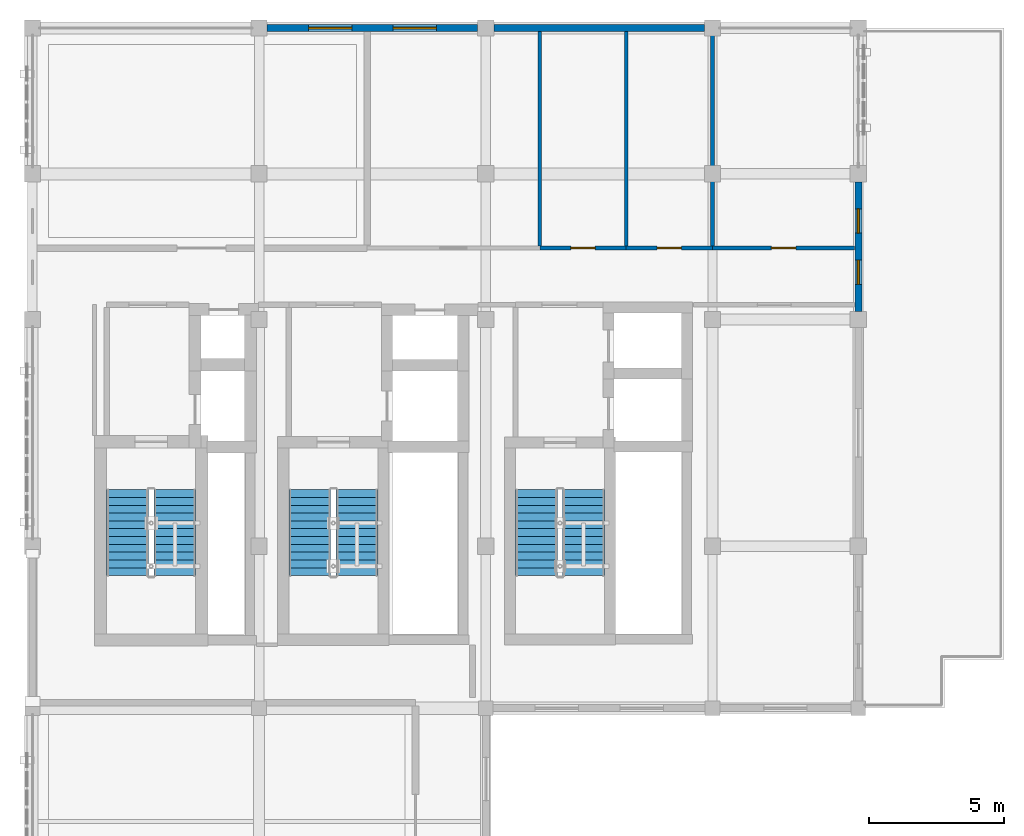
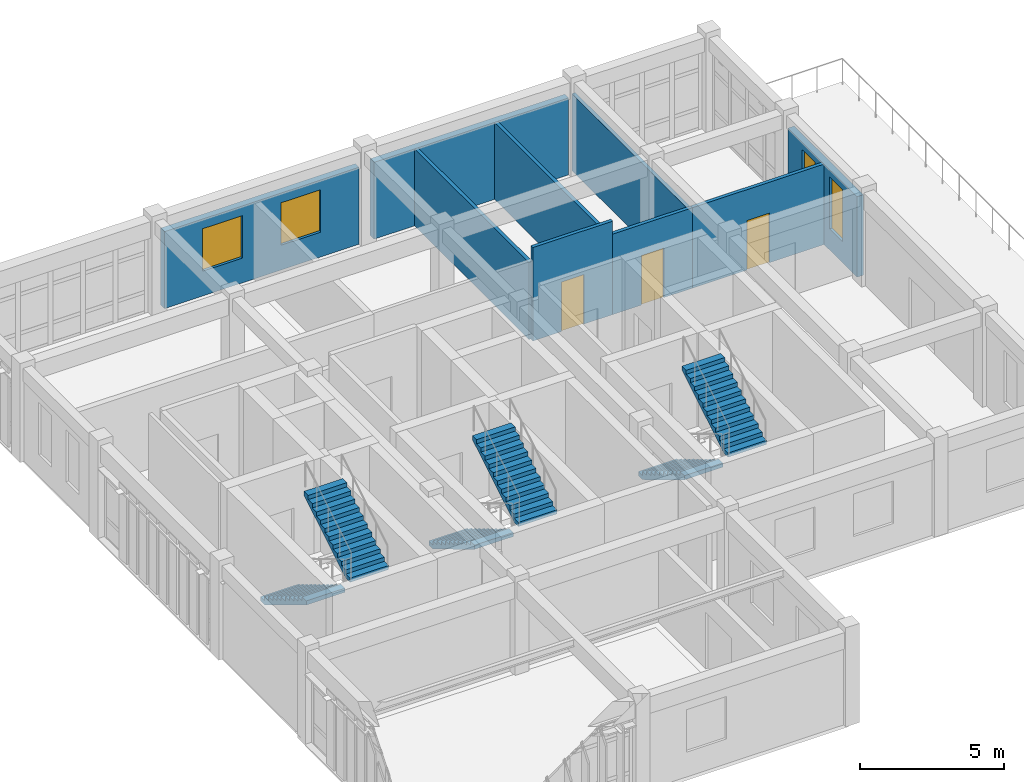
# One storey, part 19 of 21: 9 walls, 6 stair flights, 4 windows, 3 doors, 7 openings, 3 elements without a shape of their own.
"""IFC4 building model written with IfcOpenShell, lengths in metres."""

from ifc_helpers import new_model, si_unit, direction, frame, frame_2d, origin, place, context, subcontext, project, spatial, polyline, rectangle, outline, extrude, material, layer, layer_set, type_object, element, fill, aggregate, save


model = new_model("IFC4")

# Units and contexts
model_context = context("Model", 3, precision=1e-05, world=origin(), true_north=direction((0.0, 1.0)))
body_context = subcontext(model_context, "Body", "Model", "MODEL_VIEW")
ifc_project = project(units=[si_unit("LENGTHUNIT", "METRE"), si_unit("AREAUNIT", "SQUARE_METRE"), si_unit("VOLUMEUNIT", "CUBIC_METRE"), si_unit("PLANEANGLEUNIT", "RADIAN"), si_unit("MASSUNIT", "GRAM", prefix="KILO")], contexts=[model_context])

# Site, building, storey
site_placement = place(None, origin())
site = spatial("IfcSite", under=ifc_project, at=site_placement, CompositionType="ELEMENT")
building_placement = place(site_placement, origin())
building = spatial("IfcBuilding", under=site, at=building_placement, Name="Krzemoval Escarpment Law Courts", CompositionType="ELEMENT")
storey_placement = place(building_placement, frame((0.0, 0.0, 37.800048828125)))
storey = spatial("IfcBuildingStorey", under=building, at=storey_placement, Name="L08", CompositionType="ELEMENT", Elevation=37.800048828125)

# Wall, openings, windows
ifc_material_1 = material(Name="Precast concrete C40/50", Category="concrete")
ifc_layer_1 = layer(ifc_material_1, 0.260009765625)
ifc_layer_set_1 = layer_set([ifc_layer_1], Name="Precast concrete C40/50")
wall_type_1 = type_object("IfcWallType", Name="WL-EXT-260", PredefinedType="SOLIDWALL", material=ifc_layer_set_1)
wall_1_placement = place(storey_placement, frame((134.699951171875, 118.800048828125, 0.0), z_axis=(0.0, 0.0, 1.0), x_axis=(1.0, 0.0, 0.0)))
wall_1 = element("IfcWall", 1, at=wall_1_placement, inside=storey, type_object=wall_type_1, Name="Exterior Wall EW-L08-0470", PredefinedType="SOLIDWALL", context=body_context, shape_type="SweptSolid", body=[
    extrude(rectangle(XDim=7.800048828125, YDim=0.260009765625, at=frame_2d((3.89990234375, 0.0))), origin(), (0.0, 0.0, 1.0), 3.260009765625),
])
opening_1_placement = place(wall_1_placement, frame((1.532958984375, 0.0, 1.050048828125)))
opening_1 = element("IfcOpeningElement", 2, at=opening_1_placement, cuts=wall_1, Name="Opening WN-L08-0549", PredefinedType="OPENING", context=body_context, shape_type="SweptSolid", body=[
    extrude(rectangle(XDim=1.60009765625, YDim=1.800048828125, at=frame_2d((0.800048828125, 0.89990234375))), frame((0.0, 0.145, 0.0), z_axis=(0.0, -1.0, 0.0), x_axis=(1.0, 0.0, 0.0)), (0.0, 0.0, 1.0), 0.29001),
])
opening_2_placement = place(wall_1_placement, frame((4.6669921875, 0.0, 1.050048828125)))
opening_2 = element("IfcOpeningElement", 3, at=opening_2_placement, cuts=wall_1, Name="Opening WN-L08-0550", PredefinedType="OPENING", context=body_context, shape_type="SweptSolid", body=[
    extrude(rectangle(XDim=1.60009765625, YDim=1.800048828125, at=frame_2d((0.800048828125, 0.89990234375))), frame((0.0, 0.145, 0.0), z_axis=(0.0, -1.0, 0.0), x_axis=(1.0, 0.0, 0.0)), (0.0, 0.0, 1.0), 0.29001),
])
ifc_material_2 = material(Name="Thermally Broken Aluminium Frame with Triple Low-E Acoustic Glass", Category="aluminium")
window_type_1 = type_object("IfcWindowType", Name="WN-1600x1800", PartitioningType="SINGLE_PANEL", PredefinedType="WINDOW", material=ifc_material_2)
window_1_placement = place(opening_1_placement, origin())
window_1 = element("IfcWindow", 4, at=window_1_placement, inside=storey, type_object=window_type_1, Name="Facade Window WN-L08-0549", OverallHeight=1.800048828125, OverallWidth=1.60009765625, PartitioningType="SINGLE_PANEL", PredefinedType="WINDOW", context=body_context, shape_type="SweptSolid", body=[
    extrude(rectangle(XDim=1.60009765625, YDim=1.800048828125, at=frame_2d((0.800048828125, 0.89990234375))), frame((0.0, 0.030029296875, 0.0), z_axis=(0.0, -1.0, 0.0), x_axis=(1.0, 0.0, 0.0)), (0.0, 0.0, 1.0), 0.06005859375),
])
fill(opening_1, window_1)
window_2_placement = place(opening_2_placement, origin())
window_2 = element("IfcWindow", 5, at=window_2_placement, inside=storey, type_object=window_type_1, Name="Facade Window WN-L08-0550", OverallHeight=1.800048828125, OverallWidth=1.60009765625, PartitioningType="SINGLE_PANEL", PredefinedType="WINDOW", context=body_context, shape_type="SweptSolid", body=[
    extrude(rectangle(XDim=1.60009765625, YDim=1.800048828125, at=frame_2d((0.800048828125, 0.89990234375))), frame((0.0, 0.030029296875, 0.0), z_axis=(0.0, -1.0, 0.0), x_axis=(1.0, 0.0, 0.0)), (0.0, 0.0, 1.0), 0.06005859375),
])
fill(opening_2, window_2)

# Wall
wall_2_placement = place(storey_placement, frame((143.10009765625, 118.800048828125, 0.0), z_axis=(0.0, 0.0, 1.0), x_axis=(1.0, 0.0, 0.0)))
element("IfcWall", 6, at=wall_2_placement, inside=storey, type_object=wall_type_1, Name="Exterior Wall EW-L08-0471", PredefinedType="SOLIDWALL", context=body_context, shape_type="SweptSolid", body=[
    extrude(rectangle(XDim=7.7998046875, YDim=0.260009765625, at=frame_2d((3.89990234375, 0.0))), origin(), (0.0, 0.0, 1.0), 3.260009765625),
])

# Wall, openings, windows
wall_3_placement = place(storey_placement, frame((156.60009765625, 113.10009765625, 0.0), z_axis=(0.0, 0.0, 1.0), x_axis=(0.0, -1.0, 0.0)))
wall_3 = element("IfcWall", 7, at=wall_3_placement, inside=storey, type_object=wall_type_1, Name="Exterior Wall EW-L08-0472", PredefinedType="SOLIDWALL", context=body_context, shape_type="SweptSolid", body=[
    extrude(rectangle(XDim=4.800048828125, YDim=0.260009765625, at=frame_2d((2.39990234375, 0.0))), origin(), (0.0, 0.0, 1.0), 3.409912109375),
])
opening_3_placement = place(wall_3_placement, frame((1.0, 0.0, 0.89990234375)))
opening_3 = element("IfcOpeningElement", 8, at=opening_3_placement, cuts=wall_3, Name="Opening WN-L08-0551", PredefinedType="OPENING", context=body_context, shape_type="SweptSolid", body=[
    extrude(rectangle(XDim=0.89990234375, YDim=2.199951171875, at=frame_2d((0.449951171875, 1.10009765625))), frame((0.0, 0.145, 0.0), z_axis=(0.0, -1.0, 0.0), x_axis=(1.0, 0.0, 0.0)), (0.0, 0.0, 1.0), 0.29001),
])
opening_4_placement = place(wall_3_placement, frame((2.89990234375, 0.0, 0.89990234375)))
opening_4 = element("IfcOpeningElement", 9, at=opening_4_placement, cuts=wall_3, Name="Opening WN-L08-0552", PredefinedType="OPENING", context=body_context, shape_type="SweptSolid", body=[
    extrude(rectangle(XDim=0.89990234375, YDim=2.199951171875, at=frame_2d((0.449951171875, 1.10009765625))), frame((0.0, 0.145, 0.0), z_axis=(0.0, -1.0, 0.0), x_axis=(1.0, 0.0, 0.0)), (0.0, 0.0, 1.0), 0.29001),
])
ifc_material_3 = material(Name="Thermally Broken Aluminium Frame with Triple Low-E Acoustic Glass", Category="aluminium")
window_type_2 = type_object("IfcWindowType", Name="WN-900x2200", PartitioningType="SINGLE_PANEL", PredefinedType="WINDOW", material=ifc_material_3)
window_3_placement = place(opening_3_placement, origin())
window_3 = element("IfcWindow", 10, at=window_3_placement, inside=storey, type_object=window_type_2, Name="Facade Window WN-L08-0551", OverallHeight=2.199951171875, OverallWidth=0.89990234375, PartitioningType="SINGLE_PANEL", PredefinedType="WINDOW", context=body_context, shape_type="SweptSolid", body=[
    extrude(rectangle(XDim=0.89990234375, YDim=2.199951171875, at=frame_2d((0.449951171875, 1.10009765625))), frame((0.0, 0.030029296875, 0.0), z_axis=(0.0, -1.0, 0.0), x_axis=(1.0, 0.0, 0.0)), (0.0, 0.0, 1.0), 0.06005859375),
])
fill(opening_3, window_3)
window_4_placement = place(opening_4_placement, origin())
window_4 = element("IfcWindow", 11, at=window_4_placement, inside=storey, type_object=window_type_2, Name="Facade Window WN-L08-0552", OverallHeight=2.199951171875, OverallWidth=0.89990234375, PartitioningType="SINGLE_PANEL", PredefinedType="WINDOW", context=body_context, shape_type="SweptSolid", body=[
    extrude(rectangle(XDim=0.89990234375, YDim=2.199951171875, at=frame_2d((0.449951171875, 1.10009765625))), frame((0.0, 0.030029296875, 0.0), z_axis=(0.0, -1.0, 0.0), x_axis=(1.0, 0.0, 0.0)), (0.0, 0.0, 1.0), 0.06005859375),
])
fill(opening_4, window_4)

# Wall, opening, door
ifc_material_4 = material(Name="Sanitary Moisture-Resistant Partition", Category="gypsum")
ifc_layer_2 = layer(ifc_material_4, 0.139892578125)
ifc_layer_set_2 = layer_set([ifc_layer_2], Name="Sanitary Moisture-Resistant Partition")
wall_type_2 = type_object("IfcWallType", Name="WL-PRT-140", PredefinedType="PARTITIONING", material=ifc_layer_set_2)
wall_4_placement = place(storey_placement, frame((144.800048828125, 110.64990234375, 0.0), z_axis=(0.0, 0.0, 1.0), x_axis=(1.0, 0.0, 0.0)))
wall_4 = element("IfcWall", 12, at=wall_4_placement, inside=storey, type_object=wall_type_2, Name="Interior Partition PW-L08-0728", PredefinedType="PARTITIONING", context=body_context, shape_type="SweptSolid", body=[
    extrude(rectangle(XDim=3.199951171875, YDim=0.139892578125, at=frame_2d((1.60009765625, 0.0))), origin(), (0.0, 0.0, 1.0), 3.9599609375),
])
opening_5_placement = place(wall_4_placement, frame((1.14990234375, 0.0, 0.0)))
opening_5 = element("IfcOpeningElement", 13, at=opening_5_placement, cuts=wall_4, Name="Opening D-L08-0257", PredefinedType="OPENING", context=body_context, shape_type="SweptSolid", body=[
    extrude(rectangle(XDim=0.89990234375, YDim=2.10009765625, at=frame_2d((0.449951171875, 1.050048828125))), frame((0.0, 0.08495, 0.0), z_axis=(0.0, -1.0, 0.0), x_axis=(1.0, 0.0, 0.0)), (0.0, 0.0, 1.0), 0.16989),
])
ifc_material_5 = material(Name="Engineered Solid-Core Oak Acoustic Timber", Category="wood")
door_type = type_object("IfcDoorType", Name="DR-INT-900x2100", OperationType="SINGLE_SWING_LEFT", PredefinedType="DOOR", material=ifc_material_5)
door_1_placement = place(opening_5_placement, origin())
door_1 = element("IfcDoor", 14, at=door_1_placement, inside=storey, type_object=door_type, Name="Room Door D-L08-0257", OperationType="SINGLE_SWING_RIGHT", OverallHeight=2.10009765625, OverallWidth=0.89990234375, PredefinedType="DOOR", context=body_context, shape_type="SweptSolid", body=[
    extrude(rectangle(XDim=0.89990234375, YDim=2.10009765625, at=frame_2d((0.449951171875, 1.050048828125))), frame((0.0, 0.02490234375, 0.0), z_axis=(0.0, -1.0, 0.0), x_axis=(1.0, 0.0, 0.0)), (0.0, 0.0, 1.0), 0.050048828125),
])
fill(opening_5, door_1)

wall_5_placement = place(storey_placement, frame((148.0, 110.64990234375, 0.0), z_axis=(0.0, 0.0, 1.0), x_axis=(1.0, 0.0, 0.0)))
wall_5 = element("IfcWall", 15, at=wall_5_placement, inside=storey, type_object=wall_type_2, Name="Interior Partition PW-L08-0729", PredefinedType="PARTITIONING", context=body_context, shape_type="SweptSolid", body=[
    extrude(rectangle(XDim=3.199951171875, YDim=0.139892578125, at=frame_2d((1.60009765625, 0.0))), origin(), (0.0, 0.0, 1.0), 3.409912109375),
])
opening_6_placement = place(wall_5_placement, frame((1.14990234375, 0.0, 0.0)))
opening_6 = element("IfcOpeningElement", 16, at=opening_6_placement, cuts=wall_5, Name="Opening D-L08-0258", PredefinedType="OPENING", context=body_context, shape_type="SweptSolid", body=[
    extrude(rectangle(XDim=0.89990234375, YDim=2.10009765625, at=frame_2d((0.449951171875, 1.050048828125))), frame((0.0, 0.08495, 0.0), z_axis=(0.0, -1.0, 0.0), x_axis=(1.0, 0.0, 0.0)), (0.0, 0.0, 1.0), 0.16989),
])
door_2_placement = place(opening_6_placement, origin())
door_2 = element("IfcDoor", 17, at=door_2_placement, inside=storey, type_object=door_type, Name="Room Door D-L08-0258", OperationType="SINGLE_SWING_LEFT", OverallHeight=2.10009765625, OverallWidth=0.89990234375, PredefinedType="DOOR", context=body_context, shape_type="SweptSolid", body=[
    extrude(rectangle(XDim=0.89990234375, YDim=2.10009765625, at=frame_2d((0.449951171875, 1.050048828125))), frame((0.0, 0.02490234375, 0.0), z_axis=(0.0, -1.0, 0.0), x_axis=(1.0, 0.0, 0.0)), (0.0, 0.0, 1.0), 0.050048828125),
])
fill(opening_6, door_2)

wall_6_placement = place(storey_placement, frame((151.199951171875, 110.64990234375, 0.0), z_axis=(0.0, 0.0, 1.0), x_axis=(1.0, 0.0, 0.0)))
wall_6 = element("IfcWall", 18, at=wall_6_placement, inside=storey, type_object=wall_type_2, Name="Interior Partition PW-L08-0730", PredefinedType="PARTITIONING", context=body_context, shape_type="SweptSolid", body=[
    extrude(rectangle(XDim=5.26806640625, YDim=0.139892578125, at=frame_2d((2.634033203125, 0.0))), origin(), (0.0, 0.0, 1.0), 3.409912109375),
])
opening_7_placement = place(wall_6_placement, frame((2.18408203125, 0.0, 0.0)))
opening_7 = element("IfcOpeningElement", 19, at=opening_7_placement, cuts=wall_6, Name="Opening D-L08-0259", PredefinedType="OPENING", context=body_context, shape_type="SweptSolid", body=[
    extrude(rectangle(XDim=0.89990234375, YDim=2.10009765625, at=frame_2d((0.449951171875, 1.050048828125))), frame((0.0, 0.08495, 0.0), z_axis=(0.0, -1.0, 0.0), x_axis=(1.0, 0.0, 0.0)), (0.0, 0.0, 1.0), 0.16989),
])
door_3_placement = place(opening_7_placement, origin())
door_3 = element("IfcDoor", 20, at=door_3_placement, inside=storey, type_object=door_type, Name="Room Door D-L08-0259", OperationType="SINGLE_SWING_RIGHT", OverallHeight=2.10009765625, OverallWidth=0.89990234375, PredefinedType="DOOR", context=body_context, shape_type="SweptSolid", body=[
    extrude(rectangle(XDim=0.89990234375, YDim=2.10009765625, at=frame_2d((0.449951171875, 1.050048828125))), frame((0.0, 0.02490234375, 0.0), z_axis=(0.0, -1.0, 0.0), x_axis=(1.0, 0.0, 0.0)), (0.0, 0.0, 1.0), 0.050048828125),
])
fill(opening_7, door_3)

# Walls
for number, where, z_axis, x_axis, name in (
    (21, (144.800048828125, 110.721923828125, 0.0), (0.0, 0.0, 1.0), (0.0, 1.0, 0.0), "Interior Partition PW-L08-0738"),
    (22, (148.0, 110.721923828125, 0.0), (0.0, 0.0, 1.0), (0.0, 1.0, 0.0), "Interior Partition PW-L08-0739"),
):
    element("IfcWall", number, at=place(storey_placement, frame(where, z_axis=z_axis, x_axis=x_axis)), inside=storey, type_object=wall_type_2, Name=name, PredefinedType="PARTITIONING", context=body_context, shape_type="SweptSolid", body=[
        extrude(rectangle(XDim=7.946044921875, YDim=0.139892578125, at=frame_2d((3.97314453125, 0.0))), origin(), (0.0, 0.0, 1.0), 3.260009765625),
    ])
wall_7_placement = place(storey_placement, frame((151.199951171875, 110.721923828125, 0.0), z_axis=(0.0, 0.0, 1.0), x_axis=(0.0, 1.0, 0.0)))
element("IfcWall", 23, at=wall_7_placement, inside=storey, type_object=wall_type_2, Name="Interior Partition PW-L08-0740", PredefinedType="PARTITIONING", context=body_context, shape_type="SweptSolid", body=[
    extrude(rectangle(XDim=8.114013671875, YDim=0.139892578125, at=frame_2d((4.05712890625, 0.0))), origin(), (0.0, 0.0, 1.0), 3.260009765625),
])

# Stair, stair flights
ifc_material_6 = material(Name="Concrete C40/50", Category="concrete")
stair_type = type_object("IfcStairType", Name="STR-CORE-1550", PredefinedType="HALF_TURN_STAIR", material=ifc_material_6)
stair_1_placement = place(storey_placement, origin())
stair_1 = element("IfcStair", 24, at=stair_1_placement, inside=storey, type_object=stair_type, Name="L08 ST1", PredefinedType="HALF_TURN_STAIR")
ifc_material_7 = material(Name="Concrete C40/50", Category="concrete")
stair_flight_type = type_object("IfcStairFlightType", Name="STF-CORE-1550", PredefinedType="STRAIGHT", material=ifc_material_7)
stair_flight_1_placement = place(storey_placement, frame((129.52490234375, 101.699951171875, 0.0), z_axis=(0.0, 0.0, 1.0), x_axis=(0.0, -1.0, 0.0)))
stair_flight_1 = element("IfcStairFlight", 25, at=stair_flight_1_placement, type_object=stair_flight_type, Name="ST1 flight 1", NumberOfRisers=12, NumberOfTreads=11, PredefinedType="STRAIGHT", RiserHeight=0.175, TreadLength=0.29, context=body_context, shape_type="SweptSolid", body=[
    extrude(outline(polyline([(0.0, 0.0), (0.0, 0.175048828125), (0.2900390625, 0.175048828125), (0.2900390625, 0.35009765625), (0.580078125, 0.35009765625), (0.580078125, 0.52490234375), (0.8701171875, 0.52490234375), (0.8701171875, 0.699951171875), (1.159912109375, 0.699951171875), (1.159912109375, 0.875), (1.449951171875, 0.875), (1.449951171875, 1.050048828125), (1.739990234375, 1.050048828125), (1.739990234375, 1.22509765625), (2.030029296875, 1.22509765625), (2.030029296875, 1.39990234375), (2.320068359375, 1.39990234375), (2.320068359375, 1.574951171875), (2.610107421875, 1.574951171875), (2.610107421875, 1.75), (2.89990234375, 1.75), (2.89990234375, 1.925048828125), (3.18994140625, 1.925048828125), (3.18994140625, 2.10009765625), (3.18994140625, 1.75), (0.2900390625, 0.0), (0.0, 0.0)])), frame((0.0, 0.77490234375, 0.0), z_axis=(0.0, -1.0, 0.0), x_axis=(1.0, 0.0, 0.0)), (0.0, 0.0, 1.0), 1.550048828125),
])
stair_flight_2_placement = place(storey_placement, frame((131.27490234375, 98.510009765625, 2.099853515625), z_axis=(0.0, 0.0, 1.0), x_axis=(0.0, 1.0, 0.0)))
stair_flight_2 = element("IfcStairFlight", 26, at=stair_flight_2_placement, type_object=stair_flight_type, Name="ST1 flight 2", NumberOfRisers=12, NumberOfTreads=11, PredefinedType="STRAIGHT", RiserHeight=0.175, TreadLength=0.29, context=body_context, shape_type="SweptSolid", body=[
    extrude(outline(polyline([(0.0, 0.0), (0.0, 0.175048828125), (0.2900390625, 0.175048828125), (0.2900390625, 0.35009765625), (0.580078125, 0.35009765625), (0.580078125, 0.52490234375), (0.8701171875, 0.52490234375), (0.8701171875, 0.699951171875), (1.159912109375, 0.699951171875), (1.159912109375, 0.875), (1.449951171875, 0.875), (1.449951171875, 1.050048828125), (1.739990234375, 1.050048828125), (1.739990234375, 1.22509765625), (2.030029296875, 1.22509765625), (2.030029296875, 1.39990234375), (2.320068359375, 1.39990234375), (2.320068359375, 1.574951171875), (2.610107421875, 1.574951171875), (2.610107421875, 1.75), (2.89990234375, 1.75), (2.89990234375, 1.925048828125), (3.18994140625, 1.925048828125), (3.18994140625, 2.10009765625), (3.18994140625, 1.75), (0.2900390625, 0.0), (0.0, 0.0)])), frame((0.0, 0.77490234375, 0.0), z_axis=(0.0, -1.0, 0.0), x_axis=(1.0, 0.0, 0.0)), (0.0, 0.0, 1.0), 1.550048828125),
])
aggregate(stair_1, [stair_flight_1, stair_flight_2])

stair_2_placement = place(storey_placement, origin())
stair_2 = element("IfcStair", 27, at=stair_2_placement, inside=storey, type_object=stair_type, Name="L08 ST2", PredefinedType="HALF_TURN_STAIR")
stair_flight_3_placement = place(storey_placement, frame((136.27490234375, 101.699951171875, 0.0), z_axis=(0.0, 0.0, 1.0), x_axis=(0.0, -1.0, 0.0)))
stair_flight_3 = element("IfcStairFlight", 28, at=stair_flight_3_placement, type_object=stair_flight_type, Name="ST2 flight 1", NumberOfRisers=12, NumberOfTreads=11, PredefinedType="STRAIGHT", RiserHeight=0.175, TreadLength=0.29, context=body_context, shape_type="SweptSolid", body=[
    extrude(outline(polyline([(0.0, 0.0), (0.0, 0.175048828125), (0.2900390625, 0.175048828125), (0.2900390625, 0.35009765625), (0.580078125, 0.35009765625), (0.580078125, 0.52490234375), (0.8701171875, 0.52490234375), (0.8701171875, 0.699951171875), (1.159912109375, 0.699951171875), (1.159912109375, 0.875), (1.449951171875, 0.875), (1.449951171875, 1.050048828125), (1.739990234375, 1.050048828125), (1.739990234375, 1.22509765625), (2.030029296875, 1.22509765625), (2.030029296875, 1.39990234375), (2.320068359375, 1.39990234375), (2.320068359375, 1.574951171875), (2.610107421875, 1.574951171875), (2.610107421875, 1.75), (2.89990234375, 1.75), (2.89990234375, 1.925048828125), (3.18994140625, 1.925048828125), (3.18994140625, 2.10009765625), (3.18994140625, 1.75), (0.2900390625, 0.0), (0.0, 0.0)])), frame((0.0, 0.77490234375, 0.0), z_axis=(0.0, -1.0, 0.0), x_axis=(1.0, 0.0, 0.0)), (0.0, 0.0, 1.0), 1.550048828125),
])
stair_flight_4_placement = place(storey_placement, frame((138.02490234375, 98.510009765625, 2.099853515625), z_axis=(0.0, 0.0, 1.0), x_axis=(0.0, 1.0, 0.0)))
stair_flight_4 = element("IfcStairFlight", 29, at=stair_flight_4_placement, type_object=stair_flight_type, Name="ST2 flight 2", NumberOfRisers=12, NumberOfTreads=11, PredefinedType="STRAIGHT", RiserHeight=0.175, TreadLength=0.29, context=body_context, shape_type="SweptSolid", body=[
    extrude(outline(polyline([(0.0, 0.0), (0.0, 0.175048828125), (0.2900390625, 0.175048828125), (0.2900390625, 0.35009765625), (0.580078125, 0.35009765625), (0.580078125, 0.52490234375), (0.8701171875, 0.52490234375), (0.8701171875, 0.699951171875), (1.159912109375, 0.699951171875), (1.159912109375, 0.875), (1.449951171875, 0.875), (1.449951171875, 1.050048828125), (1.739990234375, 1.050048828125), (1.739990234375, 1.22509765625), (2.030029296875, 1.22509765625), (2.030029296875, 1.39990234375), (2.320068359375, 1.39990234375), (2.320068359375, 1.574951171875), (2.610107421875, 1.574951171875), (2.610107421875, 1.75), (2.89990234375, 1.75), (2.89990234375, 1.925048828125), (3.18994140625, 1.925048828125), (3.18994140625, 2.10009765625), (3.18994140625, 1.75), (0.2900390625, 0.0), (0.0, 0.0)])), frame((0.0, 0.77490234375, 0.0), z_axis=(0.0, -1.0, 0.0), x_axis=(1.0, 0.0, 0.0)), (0.0, 0.0, 1.0), 1.550048828125),
])
aggregate(stair_2, [stair_flight_3, stair_flight_4])

stair_3_placement = place(storey_placement, origin())
stair_3 = element("IfcStair", 30, at=stair_3_placement, inside=storey, type_object=stair_type, Name="L08 ST3", PredefinedType="HALF_TURN_STAIR")
stair_flight_5_placement = place(storey_placement, frame((144.675048828125, 101.699951171875, 0.0), z_axis=(0.0, 0.0, 1.0), x_axis=(0.0, -1.0, 0.0)))
stair_flight_5 = element("IfcStairFlight", 31, at=stair_flight_5_placement, type_object=stair_flight_type, Name="ST3 flight 1", NumberOfRisers=12, NumberOfTreads=11, PredefinedType="STRAIGHT", RiserHeight=0.175, TreadLength=0.29, context=body_context, shape_type="SweptSolid", body=[
    extrude(outline(polyline([(0.0, 0.0), (0.0, 0.175048828125), (0.2900390625, 0.175048828125), (0.2900390625, 0.35009765625), (0.580078125, 0.35009765625), (0.580078125, 0.52490234375), (0.8701171875, 0.52490234375), (0.8701171875, 0.699951171875), (1.159912109375, 0.699951171875), (1.159912109375, 0.875), (1.449951171875, 0.875), (1.449951171875, 1.050048828125), (1.739990234375, 1.050048828125), (1.739990234375, 1.22509765625), (2.030029296875, 1.22509765625), (2.030029296875, 1.39990234375), (2.320068359375, 1.39990234375), (2.320068359375, 1.574951171875), (2.610107421875, 1.574951171875), (2.610107421875, 1.75), (2.89990234375, 1.75), (2.89990234375, 1.925048828125), (3.18994140625, 1.925048828125), (3.18994140625, 2.10009765625), (3.18994140625, 1.75), (0.2900390625, 0.0), (0.0, 0.0)])), frame((0.0, 0.77490234375, 0.0), z_axis=(0.0, -1.0, 0.0), x_axis=(1.0, 0.0, 0.0)), (0.0, 0.0, 1.0), 1.550048828125),
])
stair_flight_6_placement = place(storey_placement, frame((146.425048828125, 98.510009765625, 2.099853515625), z_axis=(0.0, 0.0, 1.0), x_axis=(0.0, 1.0, 0.0)))
stair_flight_6 = element("IfcStairFlight", 32, at=stair_flight_6_placement, type_object=stair_flight_type, Name="ST3 flight 2", NumberOfRisers=12, NumberOfTreads=11, PredefinedType="STRAIGHT", RiserHeight=0.175, TreadLength=0.29, context=body_context, shape_type="SweptSolid", body=[
    extrude(outline(polyline([(0.0, 0.0), (0.0, 0.175048828125), (0.2900390625, 0.175048828125), (0.2900390625, 0.35009765625), (0.580078125, 0.35009765625), (0.580078125, 0.52490234375), (0.8701171875, 0.52490234375), (0.8701171875, 0.699951171875), (1.159912109375, 0.699951171875), (1.159912109375, 0.875), (1.449951171875, 0.875), (1.449951171875, 1.050048828125), (1.739990234375, 1.050048828125), (1.739990234375, 1.22509765625), (2.030029296875, 1.22509765625), (2.030029296875, 1.39990234375), (2.320068359375, 1.39990234375), (2.320068359375, 1.574951171875), (2.610107421875, 1.574951171875), (2.610107421875, 1.75), (2.89990234375, 1.75), (2.89990234375, 1.925048828125), (3.18994140625, 1.925048828125), (3.18994140625, 2.10009765625), (3.18994140625, 1.75), (0.2900390625, 0.0), (0.0, 0.0)])), frame((0.0, 0.77490234375, 0.0), z_axis=(0.0, -1.0, 0.0), x_axis=(1.0, 0.0, 0.0)), (0.0, 0.0, 1.0), 1.550048828125),
])
aggregate(stair_3, [stair_flight_5, stair_flight_6])

save(model, "model.ifc")
